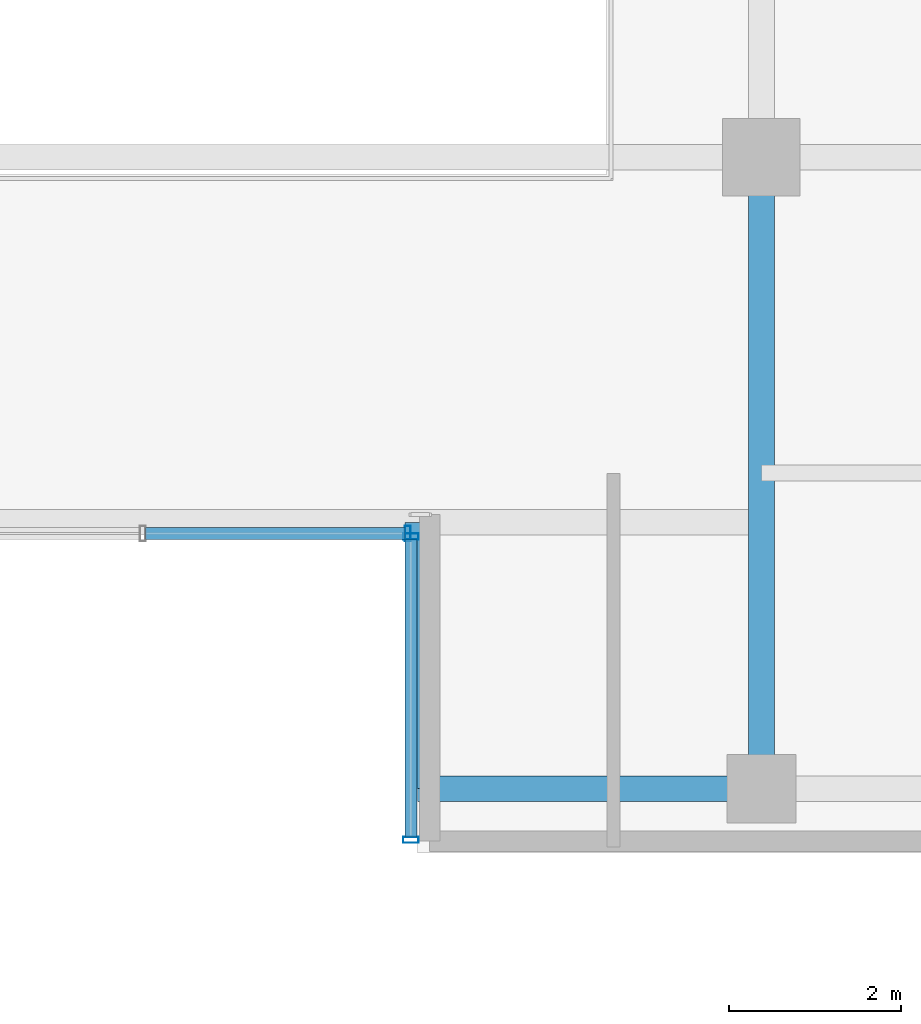
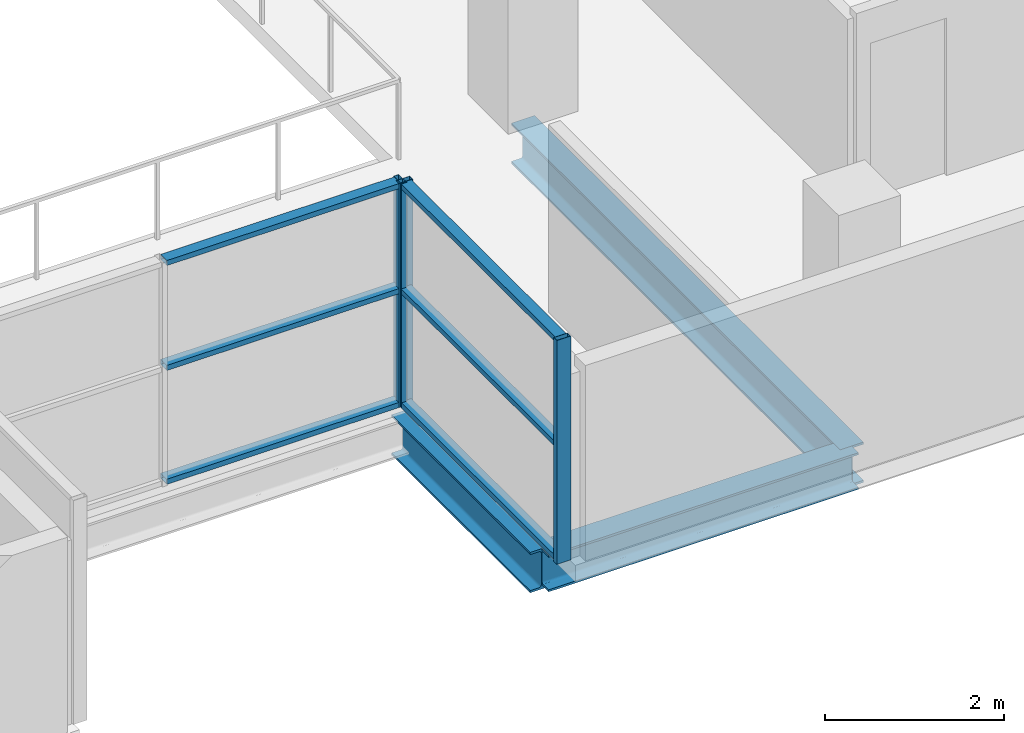
# One storey, part 10 of 28: 9 members, 3 beams, 2 elements without a shape of their own.
"""IFC4 building model written with IfcOpenShell, lengths in metres."""

from ifc_helpers import new_model, si_unit, direction, frame, origin, origin_2d, place, context, subcontext, project, spatial, hollow_rectangle, i_section, extrude, source, transform, mapped, material, layer, layer_set, material_profile, profile_set, type_object, element, aggregate, save


model = new_model("IFC4")

# Units and contexts
model_context = context("Model", 3, precision=1e-05, world=origin(), true_north=direction((0.0, 1.0)))
body_context = subcontext(model_context, "Body", "Model", "MODEL_VIEW")
ifc_project = project(units=[si_unit("LENGTHUNIT", "METRE"), si_unit("AREAUNIT", "SQUARE_METRE"), si_unit("VOLUMEUNIT", "CUBIC_METRE"), si_unit("PLANEANGLEUNIT", "RADIAN"), si_unit("MASSUNIT", "GRAM", prefix="KILO")], contexts=[model_context])

# Site, building, storey
site_placement = place(None, origin())
site = spatial("IfcSite", under=ifc_project, at=site_placement, CompositionType="ELEMENT")
building_placement = place(site_placement, origin())
building = spatial("IfcBuilding", under=site, at=building_placement, Name="Zarnakvel Exchange Tower", CompositionType="ELEMENT")
storey_placement = place(building_placement, frame((0.0, 0.0, 90.10009765625)))
storey = spatial("IfcBuildingStorey", under=building, at=storey_placement, Name="L24", CompositionType="ELEMENT", Elevation=90.10009765625)

# Beams
ifc_material_1 = material(Name="Steel S355", Category="steel")
ifc_material_profile_1 = material_profile(ifc_material_1, i_section(OverallWidth=0.300048828125, OverallDepth=0.550048828125, WebThickness=0.014892578125, FlangeThickness=0.029052734375, FilletRadius=0.027099609375, at=origin_2d()))
ifc_profile_set_1 = profile_set([ifc_material_profile_1], Name="Steel S355")
beam_type_1 = type_object("IfcBeamType", Name="G-05", PredefinedType="BEAM", material=ifc_profile_set_1)
beam_1_placement = place(storey_placement, frame((3.199951171875, -16.949951171875, -0.5), z_axis=(0.0, 1.0, 0.0), x_axis=(-1.0, 0.0, 0.0)))
element("IfcBeam", 1, at=beam_1_placement, inside=storey, type_object=beam_type_1, Name="L24 South Slot East Cheek Beam", PredefinedType="BEAM", context=body_context, shape_type="SweptSolid", body=[
    extrude(i_section(OverallWidth=0.300048828125, OverallDepth=0.550048828125, WebThickness=0.014892578125, FlangeThickness=0.029052734375, FilletRadius=0.027099609375, at=origin_2d()), origin(), (0.0, 0.0, 1.0), 3.099853515625),
])
beam_2_placement = place(storey_placement, frame((7.199951171875, -16.949951171875, -0.5), z_axis=(0.0, 1.0, 0.0), x_axis=(-1.0, 0.0, 0.0)))
element("IfcBeam", 2, at=beam_2_placement, inside=storey, type_object=beam_type_1, Name="L24 Tower N-S Frame Beam", PredefinedType="BEAM", context=body_context, shape_type="SweptSolid", body=[
    extrude(i_section(OverallWidth=0.300048828125, OverallDepth=0.550048828125, WebThickness=0.014892578125, FlangeThickness=0.029052734375, FilletRadius=0.027099609375, at=origin_2d()), origin(), (0.0, 0.0, 1.0), 7.349853515625),
])
ifc_material_profile_2 = material_profile(ifc_material_1, i_section(OverallWidth=0.300048828125, OverallDepth=0.5, WebThickness=0.014404296875, FlangeThickness=0.028076171875, FilletRadius=0.027099609375, at=origin_2d()))
ifc_profile_set_2 = profile_set([ifc_material_profile_2], Name="Steel S355")
beam_type_2 = type_object("IfcBeamType", Name="SP-02", PredefinedType="SPANDREL", material=ifc_profile_set_2)
beam_3_placement = place(storey_placement, frame((3.199951171875, -16.949951171875, -0.47509765625), z_axis=(1.0, 0.0, 0.0), x_axis=(0.0, 1.0, 0.0)))
element("IfcBeam", 3, at=beam_3_placement, inside=storey, type_object=beam_type_2, Name="L24 South Slot East Jamb Spandrel", PredefinedType="SPANDREL", context=body_context, shape_type="SweptSolid", body=[
    extrude(i_section(OverallWidth=0.300048828125, OverallDepth=0.5, WebThickness=0.014404296875, FlangeThickness=0.028076171875, FilletRadius=0.027099609375, at=origin_2d()), origin(), (0.0, 0.0, 1.0), 4.0),
])

# Curtain wall, members
ifc_material_2 = material(Name="Architectural Bronze Anodised Aluminium", Category="aluminium")
ifc_layer = layer(ifc_material_2, 0.179931640625)
ifc_layer_set = layer_set([ifc_layer], Name="Architectural Bronze Anodised Aluminium")
curtain_wall_type = type_object("IfcCurtainWallType", Name="CW-05", PredefinedType="NOTDEFINED", material=ifc_layer_set)
curtain_wall_1_placement = place(storey_placement, origin())
curtain_wall_1 = element("IfcCurtainWall", 4, at=curtain_wall_1_placement, inside=storey, type_object=curtain_wall_type, Name="L24 Curtain Wall CW-L24-SLE (CW-05)", PredefinedType="NOTDEFINED")
ifc_material_profile_3 = material_profile(ifc_material_2, hollow_rectangle(XDim=0.139892578125, YDim=0.070068359375, WallThickness=0.00390625, at=origin_2d()))
ifc_profile_set_3 = profile_set([ifc_material_profile_3], Name="Architectural Bronze Anodised Aluminium")
member_type_1 = type_object("IfcMemberType", Name="CWT-05", PredefinedType="USERDEFINED", material=ifc_profile_set_3)
shared_shape_1 = source(origin(), body_context, "Body", "SweptSolid", [
    extrude(hollow_rectangle(XDim=0.139892578125, YDim=0.070068359375, WallThickness=0.00390625, at=origin_2d()), origin(), (0.0, 0.0, 1.0), 3.4599609375),
])
member_1_placement = place(storey_placement, frame((3.1201171875, -14.050048828125, 0.034912109375), z_axis=(0.0, -1.0, 0.0), x_axis=(1.0, 0.0, 0.0)))
member_1 = element("IfcMember", 5, at=member_1_placement, type_object=member_type_1, Name="CW-05 transom 1.1", ObjectType="TRANSOM", PredefinedType="USERDEFINED", context=body_context, shape_type="MappedRepresentation", body=[
    mapped(shared_shape_1, transform((0.0, 0.0, 0.0), x_axis=(1.0, 0.0, 0.0), y_axis=(0.0, 1.0, 0.0), z_axis=(0.0, 0.0, 1.0), scale=1.0)),
])
member_2_placement = place(storey_placement, frame((3.1201171875, -14.050048828125, 1.588623046875), z_axis=(0.0, -1.0, 0.0), x_axis=(1.0, 0.0, 0.0)))
member_2 = element("IfcMember", 6, at=member_2_placement, type_object=member_type_1, Name="CW-05 transom 1.2", ObjectType="TRANSOM", PredefinedType="USERDEFINED", context=body_context, shape_type="MappedRepresentation", body=[
    mapped(shared_shape_1, transform((0.0, 0.0, 0.0), x_axis=(1.0, 0.0, 0.0), y_axis=(0.0, 1.0, 0.0), z_axis=(0.0, 0.0, 1.0), scale=1.0)),
])
member_3_placement = place(storey_placement, frame((3.1201171875, -14.050048828125, 3.02001953125), z_axis=(0.0, -1.0, 0.0), x_axis=(1.0, 0.0, 0.0)))
member_3 = element("IfcMember", 7, at=member_3_placement, type_object=member_type_1, Name="CW-05 transom 1.3", ObjectType="TRANSOM", PredefinedType="USERDEFINED", context=body_context, shape_type="MappedRepresentation", body=[
    mapped(shared_shape_1, transform((0.0, 0.0, 0.0), x_axis=(1.0, 0.0, 0.0), y_axis=(0.0, 1.0, 0.0), z_axis=(0.0, 0.0, 1.0), scale=1.0)),
])

curtain_wall_2_placement = place(storey_placement, origin())
curtain_wall_2 = element("IfcCurtainWall", 8, at=curtain_wall_2_placement, inside=storey, type_object=curtain_wall_type, Name="L24 Curtain Wall CW-L24-SLB (CW-05)", PredefinedType="NOTDEFINED")
shared_shape_2 = source(origin(), body_context, "Body", "SweptSolid", [
    extrude(hollow_rectangle(XDim=0.139892578125, YDim=0.070068359375, WallThickness=0.00390625, at=origin_2d()), origin(), (0.0, 0.0, 1.0), 3.01513671875),
])
member_4_placement = place(storey_placement, frame((0.034912109375, -13.97998046875, 0.034912109375), z_axis=(1.0, 0.0, 0.0), x_axis=(0.0, 1.0, 0.0)))
member_4 = element("IfcMember", 9, at=member_4_placement, type_object=member_type_1, Name="CW-05 transom 2.1", ObjectType="TRANSOM", PredefinedType="USERDEFINED", context=body_context, shape_type="MappedRepresentation", body=[
    mapped(shared_shape_2, transform((0.0, 0.0, 0.0), x_axis=(1.0, 0.0, 0.0), y_axis=(0.0, 1.0, 0.0), z_axis=(0.0, 0.0, 1.0), scale=1.0)),
])
member_5_placement = place(storey_placement, frame((0.034912109375, -13.97998046875, 1.588623046875), z_axis=(1.0, 0.0, 0.0), x_axis=(0.0, 1.0, 0.0)))
member_5 = element("IfcMember", 10, at=member_5_placement, type_object=member_type_1, Name="CW-05 transom 2.2", ObjectType="TRANSOM", PredefinedType="USERDEFINED", context=body_context, shape_type="MappedRepresentation", body=[
    mapped(shared_shape_2, transform((0.0, 0.0, 0.0), x_axis=(1.0, 0.0, 0.0), y_axis=(0.0, 1.0, 0.0), z_axis=(0.0, 0.0, 1.0), scale=1.0)),
])
member_6_placement = place(storey_placement, frame((0.034912109375, -13.97998046875, 3.02001953125), z_axis=(1.0, 0.0, 0.0), x_axis=(0.0, 1.0, 0.0)))
member_6 = element("IfcMember", 11, at=member_6_placement, type_object=member_type_1, Name="CW-05 transom 2.3", ObjectType="TRANSOM", PredefinedType="USERDEFINED", context=body_context, shape_type="MappedRepresentation", body=[
    mapped(shared_shape_2, transform((0.0, 0.0, 0.0), x_axis=(1.0, 0.0, 0.0), y_axis=(0.0, 1.0, 0.0), z_axis=(0.0, 0.0, 1.0), scale=1.0)),
])
ifc_material_profile_4 = material_profile(ifc_material_2, hollow_rectangle(XDim=0.179931640625, YDim=0.070068359375, WallThickness=0.00390625, at=origin_2d()))
ifc_profile_set_4 = profile_set([ifc_material_profile_4], Name="Architectural Bronze Anodised Aluminium")
member_type_2 = type_object("IfcMemberType", Name="CWM-05", PredefinedType="MULLION", material=ifc_profile_set_4)
shared_shape_3 = source(origin(), body_context, "Body", "SweptSolid", [
    extrude(hollow_rectangle(XDim=0.179931640625, YDim=0.070068359375, WallThickness=0.00390625, at=origin_2d()), origin(), (0.0, 0.0, 1.0), 3.054931640625),
])
member_7_placement = place(storey_placement, frame((3.0849609375, -13.97998046875, 0.0), z_axis=(0.0, 0.0, 1.0), x_axis=(0.0, 1.0, 0.0)))
member_7 = element("IfcMember", 12, at=member_7_placement, type_object=member_type_2, Name="CW-05 mullion 3", PredefinedType="MULLION", context=body_context, shape_type="MappedRepresentation", body=[
    mapped(shared_shape_3, transform((0.0, 0.0, 0.0), x_axis=(1.0, 0.0, 0.0), y_axis=(0.0, 1.0, 0.0), z_axis=(0.0, 0.0, 1.0), scale=1.0)),
])
aggregate(curtain_wall_2, [member_7, member_4, member_5, member_6])

# Member
member_8_placement = place(storey_placement, frame((3.1201171875, -14.014892578125, 0.0), z_axis=(0.0, 0.0, 1.0), x_axis=(1.0, 0.0, 0.0)))
member_8 = element("IfcMember", 13, at=member_8_placement, type_object=member_type_2, Name="CW-05 mullion 1", PredefinedType="MULLION", context=body_context, shape_type="MappedRepresentation", body=[
    mapped(shared_shape_3, transform((0.0, 0.0, 0.0), x_axis=(1.0, 0.0, 0.0), y_axis=(0.0, 1.0, 0.0), z_axis=(0.0, 0.0, 1.0), scale=1.0)),
])

member_9_placement = place(storey_placement, frame((3.1201171875, -17.544921875, 0.0), z_axis=(0.0, 0.0, 1.0), x_axis=(1.0, 0.0, 0.0)))
member_9 = element("IfcMember", 14, at=member_9_placement, type_object=member_type_2, Name="CW-05 mullion 2", PredefinedType="MULLION", context=body_context, shape_type="MappedRepresentation", body=[
    mapped(shared_shape_3, transform((0.0, 0.0, 0.0), x_axis=(1.0, 0.0, 0.0), y_axis=(0.0, 1.0, 0.0), z_axis=(0.0, 0.0, 1.0), scale=1.0)),
])

aggregate(curtain_wall_1, [member_8, member_9, member_1, member_2, member_3])

save(model, "model.ifc")
